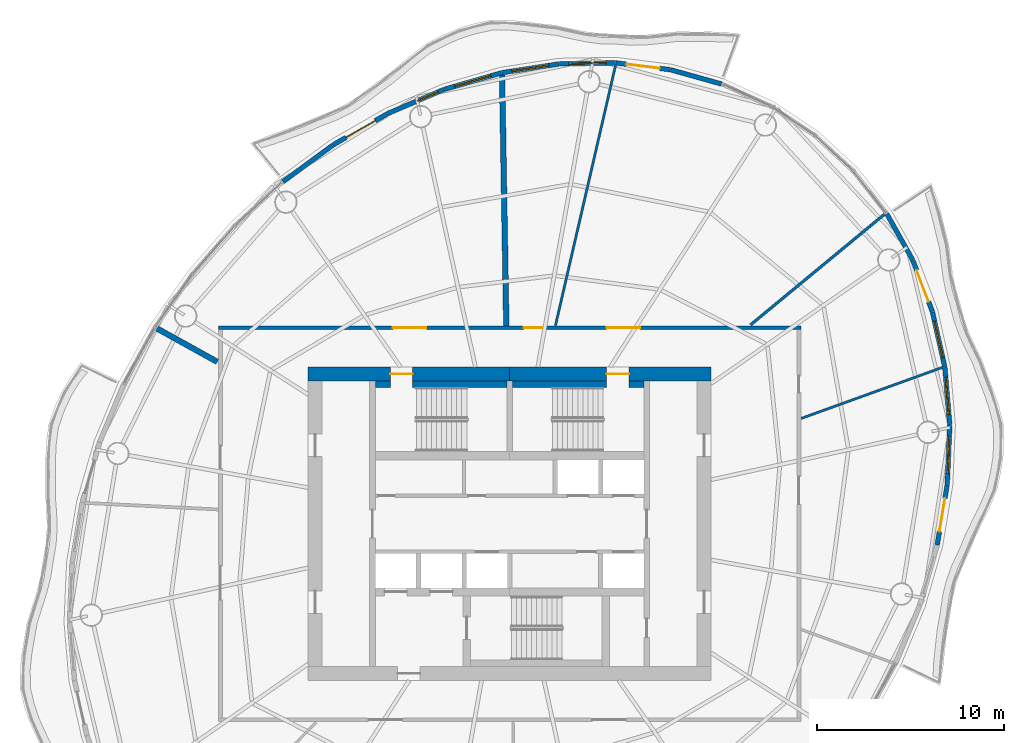
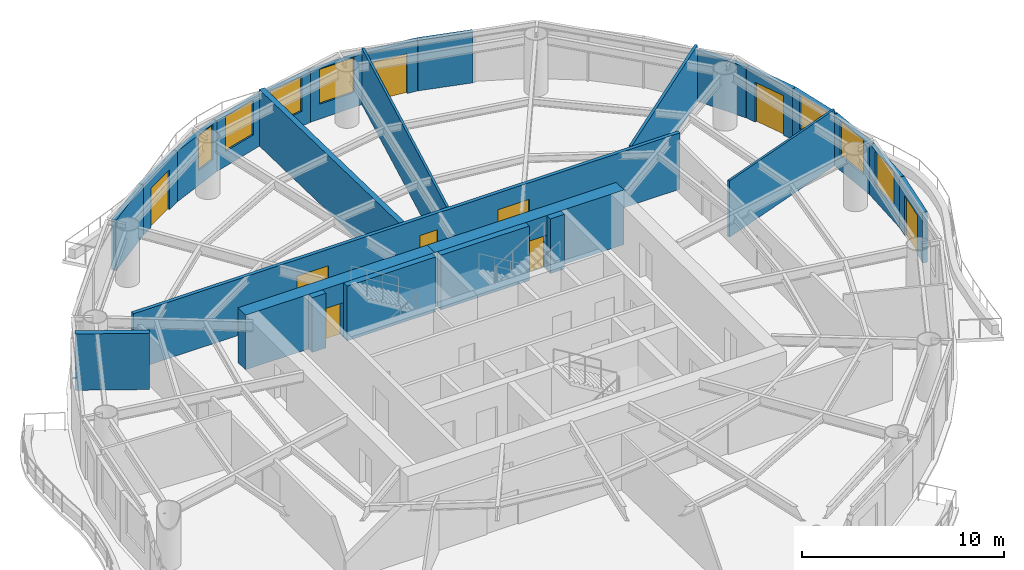
# One storey, part 10 of 14: 26 walls, 9 doors, 7 windows, 16 openings.
"""IFC4 building model written with IfcOpenShell, lengths in metres."""

import ifcopenshell
import ifcopenshell.guid

model = None  # the IFC model being written
_history = None  # IfcOwnerHistory: only IFC2X3 demands one
_inside = {}  # id of a spatial element -> (the spatial element, [elements in it])
_under = {}  # id of a project, library or spatial element -> (it, [spatial elements below it])
_declared = {}  # id of a project -> (the project, [libraries it declares])
_typed = {}  # id of a type object -> (the type object, [elements of that type])
_made_of = {}  # id of a material, layer set ... -> (it, [elements and type objects made of it])


def new_model(schema):
    """Start an empty IFC model of exactly this schema.

    Asked for "IFC4X3", IfcOpenShell would pick the latest addendum, in which some entities
    have other attributes; the version numbers below select the first issue.
    IFC2X3 requires an IfcOwnerHistory on every rooted entity: one is made here for all.
    """
    global model, _history
    if schema == "IFC4X3":
        model = ifcopenshell.file(schema_version=(4, 3, 0, 0))
    else:
        model = ifcopenshell.file(schema=schema)
    _inside.clear()
    _under.clear()
    _declared.clear()
    _typed.clear()
    _made_of.clear()
    _history = None
    if model.schema == "IFC2X3":
        org = make("IfcOrganization", Name="unknown")
        user = make(
            "IfcPersonAndOrganization",
            ThePerson=make("IfcPerson", FamilyName="unknown"),
            TheOrganization=org,
        )
        app = make(
            "IfcApplication",
            ApplicationDeveloper=org,
            Version="unknown",
            ApplicationFullName="unknown",
            ApplicationIdentifier="unknown",
        )
        _history = make(
            "IfcOwnerHistory",
            OwningUser=user,
            OwningApplication=app,
            ChangeAction="ADDED",
            CreationDate=0,
        )
    return model


def make(cls, **values):
    """One entity of the class cls with the attributes given. An attribute that is None is left unset."""
    return model.create_entity(
        cls, **{name: value for name, value in values.items() if value is not None}
    )


def rooted(cls, **values):
    """An entity with a GlobalId (a new one), such as an element, a storey or a relation."""
    return make(cls, GlobalId=ifcopenshell.guid.new(), OwnerHistory=_history, **values)


def si_unit(unit_type, name, prefix=None):
    """IfcSIUnit, for example si_unit("LENGTHUNIT", "METRE", prefix="MILLI")."""
    return make("IfcSIUnit", UnitType=unit_type, Prefix=prefix, Name=name)


def assignment(units):
    """IfcUnitAssignment: the units of a project."""
    return None if units is None else make("IfcUnitAssignment", Units=units)


def point(xyz):
    """IfcCartesianPoint."""
    return None if xyz is None else make("IfcCartesianPoint", Coordinates=xyz)


def direction(xyz):
    """IfcDirection."""
    return None if xyz is None else make("IfcDirection", DirectionRatios=xyz)


def frame(location, z_axis=None, x_axis=None):
    """IfcAxis2Placement3D, a coordinate frame: its origin and axes. An axis left out is left unset."""
    return make(
        "IfcAxis2Placement3D",
        Location=point(location),
        Axis=direction(z_axis),
        RefDirection=direction(x_axis),
    )


def frame_2d(location, x_axis=None):
    """IfcAxis2Placement2D, a coordinate frame in the plane: its origin and x axis."""
    return make(
        "IfcAxis2Placement2D", Location=point(location), RefDirection=direction(x_axis)
    )


def origin():
    """The frame at (0, 0, 0) with its axes left unset."""
    return frame((0.0, 0.0, 0.0))


def place(relative_to, where):
    """IfcLocalPlacement: puts the frame where relative to a parent placement (None: the world)."""
    return make(
        "IfcLocalPlacement", PlacementRelTo=relative_to, RelativePlacement=where
    )


def context(
    kind, dimensions, precision=None, world=None, true_north=None, identifier=None
):
    """IfcGeometricRepresentationContext, for example the 3D "Model" context."""
    return make(
        "IfcGeometricRepresentationContext",
        ContextIdentifier=identifier,
        ContextType=kind,
        CoordinateSpaceDimension=dimensions,
        Precision=precision,
        WorldCoordinateSystem=world,
        TrueNorth=true_north,
    )


def subcontext(parent, identifier, kind, view, scale=None):
    """IfcGeometricRepresentationSubContext, for example "Body" below "Model"."""
    return make(
        "IfcGeometricRepresentationSubContext",
        ContextIdentifier=identifier,
        ContextType=kind,
        ParentContext=parent,
        TargetScale=scale,
        TargetView=view,
    )


def project(units=None, contexts=None):
    """IfcProject with its units and contexts."""
    return rooted(
        "IfcProject",
        Name="project",
        RepresentationContexts=contexts,
        UnitsInContext=assignment(units),
    )


def spatial(cls, under=None, at=None, **own):
    """A site, building, storey or space (cls), placed at a placement, below another one or the project."""
    s = rooted(cls, ObjectPlacement=at, **own)
    if under is not None:
        _under.setdefault(under.id(), (under, []))[1].append(s)
    return s


def profile(cls, at=None, kind="AREA", **sizes):
    """A parametric profile (cls). Its sizes go by their IFC names, for example OverallWidth=200.0."""
    return make(cls, ProfileType=kind, Position=at, **sizes)


def rectangle(**sizes):
    """IfcRectangleProfileDef."""
    return profile("IfcRectangleProfileDef", **sizes)


def extrude(swept, where, along, depth):
    """IfcExtrudedAreaSolid: the profile swept, set in the frame where, extruded along a direction by depth."""
    return make(
        "IfcExtrudedAreaSolid",
        SweptArea=swept,
        Position=where,
        ExtrudedDirection=direction(along),
        Depth=depth,
    )


def shape(context_of_items, identifier, shape_type, items):
    """IfcShapeRepresentation: the items that make up one representation, for example the "Body"."""
    return make(
        "IfcShapeRepresentation",
        ContextOfItems=context_of_items,
        RepresentationIdentifier=identifier,
        RepresentationType=shape_type,
        Items=items,
    )


def material(Name=None, Category=None):
    """IfcMaterial."""
    return make("IfcMaterial", Name=Name, Category=Category)


def layer(
    of_material, thickness, ventilated=None, Name=None, Category=None, Priority=None
):
    """IfcMaterialLayer: one layer of a wall or slab, of a material (None: an air gap)."""
    return make(
        "IfcMaterialLayer",
        Material=of_material,
        LayerThickness=thickness,
        IsVentilated=ventilated,
        Name=Name,
        Category=Category,
        Priority=Priority,
    )


def layer_set(layers, Name=None):
    """IfcMaterialLayerSet."""
    return make("IfcMaterialLayerSet", MaterialLayers=layers, LayerSetName=Name)


def made_of(thing, what):
    """Note that an element or type object is made of a material, layer set ...; save() writes the relation."""
    if what is not None:
        _made_of.setdefault(what.id(), (what, []))[1].append(thing)
    return thing


def type_object(cls, material=None, **own):
    """A type object (cls), such as IfcWallType, which elements share."""
    return made_of(rooted(cls, **own), material)


def element(
    cls,
    number,
    at=None,
    inside=None,
    cuts=None,
    type_object=None,
    material=None,
    context=None,
    identifier="Body",
    shape_type=None,
    held_by="IfcProductDefinitionShape",
    body=None,
    shapes=None,
    **own,
):
    """One element of the class cls, such as IfcWall. Its Tag is "e" and its number.

    at: its placement. inside: the storey or other place that contains it. cuts: it is an
    opening in that element (IfcRelVoidsElement). A single representation is given by context,
    identifier, shape_type and body (its items); several are given by shapes. held_by: the class
    of the entity that holds the representations. save() writes the other relations.
    """
    e = rooted(cls, Tag="e%d" % number, ObjectPlacement=at, **own)
    if body is not None:
        shapes = [shape(context, identifier, shape_type, body)]
    if shapes is not None:
        e.Representation = make(held_by, Representations=shapes)
    if inside is not None:
        _inside.setdefault(inside.id(), (inside, []))[1].append(e)
    if cuts is not None:
        rooted(
            "IfcRelVoidsElement", RelatingBuildingElement=cuts, RelatedOpeningElement=e
        )
    if type_object is not None:
        _typed.setdefault(type_object.id(), (type_object, []))[1].append(e)
    return made_of(e, material)


def fill(opening, filler):
    """IfcRelFillsElement: the door or window that sits in an opening."""
    return rooted(
        "IfcRelFillsElement",
        RelatingOpeningElement=opening,
        RelatedBuildingElement=filler,
    )


def aggregate(whole, parts):
    """IfcRelAggregates: a whole, such as a stair, and the parts it consists of."""
    return rooted("IfcRelAggregates", RelatingObject=whole, RelatedObjects=parts)


def save(model, path):
    """Write the relations noted so far, then the file.

    IfcRelAggregates (storeys below a building ...), IfcRelContainedInSpatialStructure (elements
    in a storey), IfcRelDefinesByType, IfcRelAssociatesMaterial and IfcRelDeclares: one each for
    every whole, place, type object, material and project.
    """
    for whole, parts in _under.values():
        aggregate(whole, parts)
    for where, things in _inside.values():
        rooted(
            "IfcRelContainedInSpatialStructure",
            RelatedElements=things,
            RelatingStructure=where,
        )
    for kind, things in _typed.values():
        rooted("IfcRelDefinesByType", RelatedObjects=things, RelatingType=kind)
    for what, things in _made_of.values():
        rooted("IfcRelAssociatesMaterial", RelatedObjects=things, RelatingMaterial=what)
    for by, libraries in _declared.values():
        rooted("IfcRelDeclares", RelatingContext=by, RelatedDefinitions=libraries)
    model.write(path)


model = new_model("IFC4")

# Units and contexts
model_context = context("Model", 3, precision=1e-05, world=origin(), true_north=direction((0.0, 1.0)))
body_context = subcontext(model_context, "Body", "Model", "MODEL_VIEW")
ifc_project = project(units=[si_unit("LENGTHUNIT", "METRE"), si_unit("AREAUNIT", "SQUARE_METRE"), si_unit("VOLUMEUNIT", "CUBIC_METRE"), si_unit("PLANEANGLEUNIT", "RADIAN"), si_unit("MASSUNIT", "GRAM", prefix="KILO")], contexts=[model_context])

# Site, building, storey
site_placement = place(None, origin())
site = spatial("IfcSite", under=ifc_project, at=site_placement, CompositionType="ELEMENT")
building_placement = place(site_placement, origin())
building = spatial("IfcBuilding", under=site, at=building_placement, Name="Vermilion Reach Broadcast Tower", CompositionType="ELEMENT")
storey_placement = place(building_placement, frame((0.0, 0.0, 238.89990234375)))
storey = spatial("IfcBuildingStorey", under=building, at=storey_placement, Name="L59", CompositionType="ELEMENT", Elevation=238.89990234375)

# Wall, opening, door
ifc_material_1 = material(Name="Concrete C60", Category="concrete")
ifc_layer_1 = layer(ifc_material_1, 0.75)
ifc_layer_set_1 = layer_set([ifc_layer_1], Name="Core outer wall 750 mm Concrete C60")
wall_type_1 = type_object("IfcWallType", Name="Core outer wall 750 mm Concrete C60", PredefinedType="SHEAR", material=ifc_layer_set_1)
wall_1_placement = place(storey_placement, frame((4.800048828125, 8.02490234375, 0.0), z_axis=(0.0, 0.0, 1.0), x_axis=(-1.0, 0.0, 0.0)))
wall_1 = element("IfcWall", 1, at=wall_1_placement, inside=storey, type_object=wall_type_1, Name="L59 core wall onE", PredefinedType="SHEAR", context=body_context, shape_type="SweptSolid", body=[
    extrude(rectangle(XDim=10.800048828125, YDim=0.75, at=frame_2d((5.39990234375, 0.0))), origin(), (0.0, 0.0, 1.0), 3.300048828125),
])
opening_1_placement = place(wall_1_placement, frame((4.39990234375, 0.0, 0.0)))
opening_1 = element("IfcOpeningElement", 2, at=opening_1_placement, cuts=wall_1, Name="Opening D01", PredefinedType="OPENING", context=body_context, shape_type="SweptSolid", body=[
    extrude(rectangle(XDim=1.199951171875, YDim=2.10009765625, at=frame_2d((0.60009765625, 1.050048828125))), frame((0.0, 0.385009765625, 0.0), z_axis=(0.0, -1.0, 0.0), x_axis=(1.0, 0.0, 0.0)), (0.0, 0.0, 1.0), 0.77001953125),
])
ifc_material_2 = material(Name="Painted steel fire door", Category="steel")
door_type_1 = type_object("IfcDoorType", Name="Stair door 1200 x 2100", OperationType="DOUBLE_DOOR_SINGLE_SWING", PredefinedType="NOTDEFINED", material=ifc_material_2)
door_1_placement = place(opening_1_placement, origin())
door_1 = element("IfcDoor", 3, at=door_1_placement, inside=storey, type_object=door_type_1, Name="L59 stair door ST2", OperationType="DOUBLE_DOOR_SINGLE_SWING", OverallHeight=2.10009765625, OverallWidth=1.199951171875, PredefinedType="NOTDEFINED", context=body_context, shape_type="SweptSolid", body=[
    extrude(rectangle(XDim=1.199951171875, YDim=2.10009765625, at=frame_2d((0.60009765625, 1.050048828125))), frame((0.0, 0.02490234375, 0.0), z_axis=(0.0, -1.0, 0.0), x_axis=(1.0, 0.0, 0.0)), (0.0, 0.0, 1.0), 0.050048828125),
])
fill(opening_1, door_1)

wall_2_placement = place(storey_placement, frame((-6.0, 8.02490234375, 0.0), z_axis=(0.0, 0.0, 1.0), x_axis=(-1.0, 0.0, 0.0)))
wall_2 = element("IfcWall", 4, at=wall_2_placement, inside=storey, type_object=wall_type_1, Name="L59 core wall onW", PredefinedType="SHEAR", context=body_context, shape_type="SweptSolid", body=[
    extrude(rectangle(XDim=10.800048828125, YDim=0.75, at=frame_2d((5.39990234375, 0.0))), origin(), (0.0, 0.0, 1.0), 3.300048828125),
])
opening_2_placement = place(wall_2_placement, frame((5.199951171875, 0.0, 0.0)))
opening_2 = element("IfcOpeningElement", 5, at=opening_2_placement, cuts=wall_2, Name="Opening D01", PredefinedType="OPENING", context=body_context, shape_type="SweptSolid", body=[
    extrude(rectangle(XDim=1.199951171875, YDim=2.10009765625, at=frame_2d((0.60009765625, 1.050048828125))), frame((0.0, 0.385009765625, 0.0), z_axis=(0.0, -1.0, 0.0), x_axis=(1.0, 0.0, 0.0)), (0.0, 0.0, 1.0), 0.77001953125),
])
door_2_placement = place(opening_2_placement, origin())
door_2 = element("IfcDoor", 6, at=door_2_placement, inside=storey, type_object=door_type_1, Name="L59 stair door ST1", OperationType="DOUBLE_DOOR_SINGLE_SWING", OverallHeight=2.10009765625, OverallWidth=1.199951171875, PredefinedType="NOTDEFINED", context=body_context, shape_type="SweptSolid", body=[
    extrude(rectangle(XDim=1.199951171875, YDim=2.10009765625, at=frame_2d((0.60009765625, 1.050048828125))), frame((0.0, 0.02490234375, 0.0), z_axis=(0.0, -1.0, 0.0), x_axis=(1.0, 0.0, 0.0)), (0.0, 0.0, 1.0), 0.050048828125),
])
fill(opening_2, door_2)

# Walls
ifc_material_3 = material(Name="Concrete C60", Category="concrete")
ifc_layer_2 = layer(ifc_material_3, 0.35009765625)
ifc_layer_set_2 = layer_set([ifc_layer_2], Name="Core stair wall 350 mm Concrete C60")
wall_type_2 = type_object("IfcWallType", Name="Core stair wall 350 mm Concrete C60", PredefinedType="SHEAR", material=ifc_layer_set_2)
wall_3_placement = place(storey_placement, frame((-13.199951171875, 7.47509765625, 0.0), z_axis=(0.0, 0.0, 1.0), x_axis=(1.0, 0.0, 0.0)))
element("IfcWall", 7, at=wall_3_placement, inside=storey, type_object=wall_type_2, Name="L59 core wall l1a", PredefinedType="SHEAR", context=body_context, shape_type="SweptSolid", body=[
    extrude(rectangle(XDim=0.800048828125, YDim=0.35009765625, at=frame_2d((0.39990234375, 0.0))), origin(), (0.0, 0.0, 1.0), 3.300048828125),
])
for number, where, z_axis, x_axis, name in (
    (8, (-11.199951171875, 7.47509765625, 0.0), (0.0, 0.0, 1.0), (1.0, 0.0, 0.0), "L59 core wall l1b"),
    (9, (-5.85009765625, 7.47509765625, 0.0), (0.0, 0.0, 1.0), (1.0, 0.0, 0.0), "L59 core wall l2a"),
):
    element("IfcWall", number, at=place(storey_placement, frame(where, z_axis=z_axis, x_axis=x_axis)), inside=storey, type_object=wall_type_2, Name=name, PredefinedType="SHEAR", context=body_context, shape_type="SweptSolid", body=[
        extrude(rectangle(XDim=5.050048828125, YDim=0.35009765625, at=frame_2d((2.52490234375, 0.0))), origin(), (0.0, 0.0, 1.0), 3.300048828125),
    ])
wall_4_placement = place(storey_placement, frame((0.39990234375, 7.47509765625, 0.0), z_axis=(0.0, 0.0, 1.0), x_axis=(1.0, 0.0, 0.0)))
element("IfcWall", 10, at=wall_4_placement, inside=storey, type_object=wall_type_2, Name="L59 core wall l2b", PredefinedType="SHEAR", context=body_context, shape_type="SweptSolid", body=[
    extrude(rectangle(XDim=0.800048828125, YDim=0.35009765625, at=frame_2d((0.39990234375, 0.0))), origin(), (0.0, 0.0, 1.0), 3.300048828125),
])

# Wall, openings, doors
ifc_material_4 = material(Name="Fire-rated gypsum board partition")
ifc_layer_3 = layer(ifc_material_4, 0.199951171875)
ifc_layer_set_3 = layer_set([ifc_layer_3], Name="Corridor wall 200 fire-rated")
wall_type_3 = type_object("IfcWallType", Name="Corridor wall 200 fire-rated", PredefinedType="PARTITIONING", material=ifc_layer_set_3)
wall_5_placement = place(storey_placement, frame((-21.60009765625, 10.5, 0.0), z_axis=(0.0, 0.0, 1.0), x_axis=(1.0, 0.0, 0.0)))
wall_5 = element("IfcWall", 11, at=wall_5_placement, inside=storey, type_object=wall_type_3, Name="Corridor wall 59.N", PredefinedType="PARTITIONING", context=body_context, shape_type="SweptSolid", body=[
    extrude(rectangle(XDim=31.2001953125, YDim=0.199951171875, at=frame_2d((15.60009765625, 0.0))), origin(), (0.0, 0.0, 1.0), 3.400146484375),
])
opening_3_placement = place(wall_5_placement, frame((16.35986328125, 0.0, 0.0)))
opening_3 = element("IfcOpeningElement", 12, at=opening_3_placement, cuts=wall_5, Name="Opening D23", PredefinedType="OPENING", context=body_context, shape_type="SweptSolid", body=[
    extrude(rectangle(XDim=1.0, YDim=2.39990234375, at=frame_2d((0.5, 1.199951171875))), frame((0.0, 0.10986328125, 0.0), z_axis=(0.0, -1.0, 0.0), x_axis=(1.0, 0.0, 0.0)), (0.0, 0.0, 1.0), 0.219970703125),
])
opening_4_placement = place(wall_5_placement, frame((9.333984375, 0.0, 0.0)))
opening_4 = element("IfcOpeningElement", 13, at=opening_4_placement, cuts=wall_5, Name="Opening D27", PredefinedType="OPENING", context=body_context, shape_type="SweptSolid", body=[
    extrude(rectangle(XDim=1.800048828125, YDim=2.39990234375, at=frame_2d((0.89990234375, 1.199951171875))), frame((0.0, 0.10986328125, 0.0), z_axis=(0.0, -1.0, 0.0), x_axis=(1.0, 0.0, 0.0)), (0.0, 0.0, 1.0), 0.219970703125),
])
opening_5_placement = place(wall_5_placement, frame((20.794677734375, 0.0, 0.0)))
opening_5 = element("IfcOpeningElement", 14, at=opening_5_placement, cuts=wall_5, Name="Opening D27", PredefinedType="OPENING", context=body_context, shape_type="SweptSolid", body=[
    extrude(rectangle(XDim=1.800048828125, YDim=2.39990234375, at=frame_2d((0.89990234375, 1.199951171875))), frame((0.0, 0.10986328125, 0.0), z_axis=(0.0, -1.0, 0.0), x_axis=(1.0, 0.0, 0.0)), (0.0, 0.0, 1.0), 0.219970703125),
])
ifc_material_5 = material(Name="Acoustic timber door leaf", Category="wood")
door_type_2 = type_object("IfcDoorType", Name="Door pair 1800x2400", OperationType="NOTDEFINED", PredefinedType="DOOR", material=ifc_material_5)
door_3_placement = place(opening_4_placement, origin())
door_3 = element("IfcDoor", 15, at=door_3_placement, inside=storey, type_object=door_type_2, Name="Door 59.02", OperationType="DOUBLE_DOOR_SINGLE_SWING", OverallHeight=2.39990234375, OverallWidth=1.800048828125, PredefinedType="DOOR", context=body_context, shape_type="SweptSolid", body=[
    extrude(rectangle(XDim=1.800048828125, YDim=2.39990234375, at=frame_2d((0.89990234375, 1.199951171875))), frame((0.0, 0.02490234375, 0.0), z_axis=(0.0, -1.0, 0.0), x_axis=(1.0, 0.0, 0.0)), (0.0, 0.0, 1.0), 0.050048828125),
])
fill(opening_4, door_3)
door_4_placement = place(opening_5_placement, origin())
door_4 = element("IfcDoor", 16, at=door_4_placement, inside=storey, type_object=door_type_2, Name="Door 59.09", OperationType="DOUBLE_DOOR_SINGLE_SWING", OverallHeight=2.39990234375, OverallWidth=1.800048828125, PredefinedType="DOOR", context=body_context, shape_type="SweptSolid", body=[
    extrude(rectangle(XDim=1.800048828125, YDim=2.39990234375, at=frame_2d((0.89990234375, 1.199951171875))), frame((0.0, 0.02490234375, 0.0), z_axis=(0.0, -1.0, 0.0), x_axis=(1.0, 0.0, 0.0)), (0.0, 0.0, 1.0), 0.050048828125),
])
fill(opening_5, door_4)
ifc_material_6 = material(Name="Veneered timber door leaf", Category="wood")
door_type_3 = type_object("IfcDoorType", Name="Door single 1000x2400", OperationType="NOTDEFINED", PredefinedType="DOOR", material=ifc_material_6)
door_5_placement = place(opening_3_placement, origin())
door_5 = element("IfcDoor", 17, at=door_5_placement, inside=storey, type_object=door_type_3, Name="Door 59.01", OperationType="SINGLE_SWING_RIGHT", OverallHeight=2.39990234375, OverallWidth=1.0, PredefinedType="DOOR", context=body_context, shape_type="SweptSolid", body=[
    extrude(rectangle(XDim=1.0, YDim=2.39990234375, at=frame_2d((0.5, 1.199951171875))), frame((0.0, 0.02490234375, 0.0), z_axis=(0.0, -1.0, 0.0), x_axis=(1.0, 0.0, 0.0)), (0.0, 0.0, 1.0), 0.050048828125),
])
fill(opening_3, door_5)

# Walls
ifc_material_7 = material(Name="Fire-rated plasterboard on steel stud", Category="steel")
ifc_layer_4 = layer(ifc_material_7, 0.125)
ifc_layer_set_4 = layer_set([ifc_layer_4], Name="Partition 125 fire-rated stud")
wall_type_4 = type_object("IfcWallType", Name="Partition 125 fire-rated stud", PredefinedType="PARTITIONING", material=ifc_layer_set_4)
wall_6_placement = place(storey_placement, frame((-0.32373046875, 24.5751953125, 0.0), z_axis=(0.0, 0.0, 1.0), x_axis=(-0.225044916304, -0.974348390282, 0.0)))
element("IfcWall", 18, at=wall_6_placement, inside=storey, type_object=wall_type_4, Name="Partition 59.01", PredefinedType="PARTITIONING", context=body_context, shape_type="SweptSolid", body=[
    extrude(rectangle(XDim=14.328857421875, YDim=0.125, at=frame_2d((7.16455078125, 0.0))), origin(), (0.0, 0.0, 1.0), 3.400146484375),
])
wall_7_placement = place(storey_placement, frame((17.1962890625, 8.3818359375, 0.0), z_axis=(0.0, 0.0, 1.0), x_axis=(-0.94047829394, -0.339853760649, 0.0)))
element("IfcWall", 19, at=wall_7_placement, inside=storey, type_object=wall_type_4, Name="Partition 59.08", PredefinedType="PARTITIONING", context=body_context, shape_type="SweptSolid", body=[
    extrude(rectangle(XDim=8.054443359375, YDim=0.125, at=frame_2d((4.02734375, 0.0))), origin(), (0.0, 0.0, 1.0), 3.400146484375),
])
ifc_material_8 = material(Name="Lightweight concrete block, plastered", Category="concrete")
ifc_layer_5 = layer(ifc_material_8, 0.14990234375)
ifc_layer_set_5 = layer_set([ifc_layer_5], Name="Partition 150 lightweight block")
wall_type_5 = type_object("IfcWallType", Name="Partition 150 lightweight block", PredefinedType="PARTITIONING", material=ifc_layer_set_5)
wall_8_placement = place(storey_placement, frame((14.082275390625, 16.58349609375, 0.0), z_axis=(0.0, 0.0, 1.0), x_axis=(-0.771079906802, -0.636738390021, 0.0)))
element("IfcWall", 20, at=wall_8_placement, inside=storey, type_object=wall_type_5, Name="Partition 59.09", PredefinedType="PARTITIONING", context=body_context, shape_type="SweptSolid", body=[
    extrude(rectangle(XDim=9.306396484375, YDim=0.14990234375, at=frame_2d((4.6533203125, 0.0))), origin(), (0.0, 0.0, 1.0), 3.400146484375),
])
ifc_material_9 = material(Name="Double-leaf plasterboard on isolated steel stud", Category="steel")
ifc_layer_6 = layer(ifc_material_9, 0.300048828125)
ifc_layer_set_6 = layer_set([ifc_layer_6], Name="Partition 300 acoustic double leaf")
wall_type_6 = type_object("IfcWallType", Name="Partition 300 acoustic double leaf", PredefinedType="PARTITIONING", material=ifc_layer_set_6)
wall_9_placement = place(storey_placement, frame((-6.40869140625, 24.046875, 0.0), z_axis=(0.0, 0.0, 1.0), x_axis=(0.016994712399, -0.999855579447, 0.0)))
element("IfcWall", 21, at=wall_9_placement, inside=storey, type_object=wall_type_6, Name="Partition 59.02", PredefinedType="PARTITIONING", context=body_context, shape_type="SweptSolid", body=[
    extrude(rectangle(XDim=13.4462890625, YDim=0.300048828125, at=frame_2d((6.72314453125, 0.0))), origin(), (0.0, 0.0, 1.0), 3.400146484375),
])
wall_10_placement = place(storey_placement, frame((-24.89453125, 10.46240234375, 0.0), z_axis=(0.0, 0.0, 1.0), x_axis=(0.874850568948, -0.484392900455, 0.0)))
element("IfcWall", 22, at=wall_10_placement, inside=storey, type_object=wall_type_6, Name="Partition 59.03", PredefinedType="PARTITIONING", context=body_context, shape_type="SweptSolid", body=[
    extrude(rectangle(XDim=3.682861328125, YDim=0.300048828125, at=frame_2d((1.84130859375, 0.0))), origin(), (0.0, 0.0, 1.0), 3.400146484375),
])
ifc_material_10 = material(Name="Terracotta rainscreen cladding", Category="masonry")
ifc_layer_7 = layer(ifc_material_10, 0.25)
ifc_layer_set_7 = layer_set([ifc_layer_7], Name="Terracotta rainscreen wall 250")
wall_type_7 = type_object("IfcWallType", Name="Terracotta rainscreen wall 250", PredefinedType="SOLIDWALL", material=ifc_layer_set_7)
wall_11_placement = place(storey_placement, frame((5.353515625, 23.56689453125, 0.0), z_axis=(0.0, 0.0, 1.0), x_axis=(-0.962900295721, 0.269857407718, 0.0)))
element("IfcWall", 23, at=wall_11_placement, inside=storey, type_object=wall_type_7, Name="External wall L59 02", PredefinedType="SOLIDWALL", context=body_context, shape_type="SweptSolid", body=[
    extrude(rectangle(XDim=2.826171875, YDim=0.25, at=frame_2d((1.4130859375, 0.0))), origin(), (0.0, 0.0, 1.0), 3.050048828125),
])

# Wall, opening, door
wall_12_placement = place(storey_placement, frame((2.60595703125, 24.3349609375, 0.0), z_axis=(0.0, 0.0, 1.0), x_axis=(-0.992289397798, 0.123942531107, 0.0)))
wall_12 = element("IfcWall", 24, at=wall_12_placement, inside=storey, type_object=wall_type_7, Name="External wall L59 03", PredefinedType="SOLIDWALL", context=body_context, shape_type="SweptSolid", body=[
    extrude(rectangle(XDim=2.93310546875, YDim=0.25, at=frame_2d((1.466552734375, 0.0))), origin(), (0.0, 0.0, 1.0), 3.050048828125),
])
opening_6_placement = place(wall_12_placement, frame((0.56591796875, 0.0, 0.0)))
opening_6 = element("IfcOpeningElement", 25, at=opening_6_placement, cuts=wall_12, Name="Opening D70", PredefinedType="OPENING", context=body_context, shape_type="SweptSolid", body=[
    extrude(rectangle(XDim=1.800048828125, YDim=2.39990234375, at=frame_2d((0.89990234375, 1.199951171875))), frame((0.0, 0.135009765625, 0.0), z_axis=(0.0, -1.0, 0.0), x_axis=(1.0, 0.0, 0.0)), (0.0, 0.0, 1.0), 0.27001953125),
])
ifc_material_11 = material(Name="Low-e laminated clear glass in aluminium frame", Category="aluminium")
door_type_4 = type_object("IfcDoorType", Name="Balcony sliding door 1800 x 2400", OperationType="DOUBLE_DOOR_SLIDING", PredefinedType="DOOR", material=ifc_material_11)
door_6_placement = place(opening_6_placement, origin())
door_6 = element("IfcDoor", 26, at=door_6_placement, inside=storey, type_object=door_type_4, Name="Balcony door L59 run 01", OperationType="DOUBLE_DOOR_SLIDING", OverallHeight=2.39990234375, OverallWidth=1.800048828125, PredefinedType="DOOR", context=body_context, shape_type="SweptSolid", body=[
    extrude(rectangle(XDim=1.800048828125, YDim=2.39990234375, at=frame_2d((0.89990234375, 1.199951171875))), frame((0.0, 0.02490234375, 0.0), z_axis=(0.0, -1.0, 0.0), x_axis=(1.0, 0.0, 0.0)), (0.0, 0.0, 1.0), 0.050048828125),
])
fill(opening_6, door_6)

# Wall, opening, window
wall_13_placement = place(storey_placement, frame((-0.330078125, 24.69970703125, 0.0), z_axis=(0.0, 0.0, 1.0), x_axis=(-0.999837951795, -0.018001948524, 0.0)))
wall_13 = element("IfcWall", 27, at=wall_13_placement, inside=storey, type_object=wall_type_7, Name="External wall L59 04", PredefinedType="SOLIDWALL", context=body_context, shape_type="SweptSolid", body=[
    extrude(rectangle(XDim=3.0107421875, YDim=0.25, at=frame_2d((1.50537109375, 0.0))), origin(), (0.0, 0.0, 1.0), 3.050048828125),
])
opening_7_placement = place(wall_13_placement, frame((0.50537109375, 0.0, 0.89990234375)))
opening_7 = element("IfcOpeningElement", 28, at=opening_7_placement, cuts=wall_13, Name="Opening W03", PredefinedType="OPENING", context=body_context, shape_type="SweptSolid", body=[
    extrude(rectangle(XDim=2.0, YDim=2.10009765625, at=frame_2d((1.0, 1.050048828125))), frame((0.0, 0.135009765625, 0.0), z_axis=(0.0, -1.0, 0.0), x_axis=(1.0, 0.0, 0.0)), (0.0, 0.0, 1.0), 0.27001953125),
])
ifc_material_12 = material(Name="Low-e laminated clear glass in aluminium frame", Category="aluminium")
window_type_1 = type_object("IfcWindowType", Name="Punched window 2000 x 2100 sill 900", PartitioningType="SINGLE_PANEL", PredefinedType="WINDOW", material=ifc_material_12)
window_1_placement = place(opening_7_placement, origin())
window_1 = element("IfcWindow", 29, at=window_1_placement, inside=storey, type_object=window_type_1, Name="Window L59 04", OverallHeight=2.10009765625, OverallWidth=2.0, PartitioningType="SINGLE_PANEL", PredefinedType="WINDOW", context=body_context, shape_type="SweptSolid", body=[
    extrude(rectangle(XDim=2.0, YDim=2.10009765625, at=frame_2d((1.0, 1.050048828125))), frame((0.0, 0.030029296875, 0.0), z_axis=(0.0, -1.0, 0.0), x_axis=(1.0, 0.0, 0.0)), (0.0, 0.0, 1.0), 0.06005859375),
])
fill(opening_7, window_1)

wall_14_placement = place(storey_placement, frame((-3.364990234375, 24.643310546875, 0.0), z_axis=(0.0, 0.0, 1.0), x_axis=(-0.988271174428, -0.152709154258, 0.0)))
wall_14 = element("IfcWall", 30, at=wall_14_placement, inside=storey, type_object=wall_type_7, Name="External wall L59 05", PredefinedType="SOLIDWALL", context=body_context, shape_type="SweptSolid", body=[
    extrude(rectangle(XDim=3.09521484375, YDim=0.25, at=frame_2d((1.547607421875, 0.0))), origin(), (0.0, 0.0, 1.0), 3.050048828125),
])
opening_8_placement = place(wall_14_placement, frame((0.547607421875, 0.0, 0.89990234375)))
opening_8 = element("IfcOpeningElement", 31, at=opening_8_placement, cuts=wall_14, Name="Opening W03", PredefinedType="OPENING", context=body_context, shape_type="SweptSolid", body=[
    extrude(rectangle(XDim=2.0, YDim=2.10009765625, at=frame_2d((1.0, 1.050048828125))), frame((0.0, 0.135009765625, 0.0), z_axis=(0.0, -1.0, 0.0), x_axis=(1.0, 0.0, 0.0)), (0.0, 0.0, 1.0), 0.27001953125),
])
window_2_placement = place(opening_8_placement, origin())
window_2 = element("IfcWindow", 32, at=window_2_placement, inside=storey, type_object=window_type_1, Name="Window L59 05", OverallHeight=2.10009765625, OverallWidth=2.0, PartitioningType="SINGLE_PANEL", PredefinedType="WINDOW", context=body_context, shape_type="SweptSolid", body=[
    extrude(rectangle(XDim=2.0, YDim=2.10009765625, at=frame_2d((1.0, 1.050048828125))), frame((0.0, 0.030029296875, 0.0), z_axis=(0.0, -1.0, 0.0), x_axis=(1.0, 0.0, 0.0)), (0.0, 0.0, 1.0), 0.06005859375),
])
fill(opening_8, window_2)

wall_15_placement = place(storey_placement, frame((-6.447265625, 24.16552734375, 0.0), z_axis=(0.0, 0.0, 1.0), x_axis=(-0.960582609331, -0.277994695364, 0.0)))
wall_15 = element("IfcWall", 33, at=wall_15_placement, inside=storey, type_object=wall_type_7, Name="External wall L59 06", PredefinedType="SOLIDWALL", context=body_context, shape_type="SweptSolid", body=[
    extrude(rectangle(XDim=3.179931640625, YDim=0.25, at=frame_2d((1.58984375, 0.0))), origin(), (0.0, 0.0, 1.0), 3.050048828125),
])
opening_9_placement = place(wall_15_placement, frame((0.590087890625, 0.0, 0.89990234375)))
opening_9 = element("IfcOpeningElement", 34, at=opening_9_placement, cuts=wall_15, Name="Opening W03", PredefinedType="OPENING", context=body_context, shape_type="SweptSolid", body=[
    extrude(rectangle(XDim=2.0, YDim=2.10009765625, at=frame_2d((1.0, 1.050048828125))), frame((0.0, 0.135009765625, 0.0), z_axis=(0.0, -1.0, 0.0), x_axis=(1.0, 0.0, 0.0)), (0.0, 0.0, 1.0), 0.27001953125),
])
window_3_placement = place(opening_9_placement, origin())
window_3 = element("IfcWindow", 35, at=window_3_placement, inside=storey, type_object=window_type_1, Name="Window L59 06", OverallHeight=2.10009765625, OverallWidth=2.0, PartitioningType="SINGLE_PANEL", PredefinedType="WINDOW", context=body_context, shape_type="SweptSolid", body=[
    extrude(rectangle(XDim=2.0, YDim=2.10009765625, at=frame_2d((1.0, 1.050048828125))), frame((0.0, 0.030029296875, 0.0), z_axis=(0.0, -1.0, 0.0), x_axis=(1.0, 0.0, 0.0)), (0.0, 0.0, 1.0), 0.06005859375),
])
fill(opening_9, window_3)

wall_16_placement = place(storey_placement, frame((-9.52392578125, 23.273681640625, 0.0), z_axis=(0.0, 0.0, 1.0), x_axis=(-0.919578355228, -0.39290666652, 0.0)))
wall_16 = element("IfcWall", 36, at=wall_16_placement, inside=storey, type_object=wall_type_7, Name="External wall L59 07", PredefinedType="SOLIDWALL", context=body_context, shape_type="SweptSolid", body=[
    extrude(rectangle(XDim=3.259765625, YDim=0.25, at=frame_2d((1.6298828125, 0.0))), origin(), (0.0, 0.0, 1.0), 3.050048828125),
])
opening_10_placement = place(wall_16_placement, frame((0.330078125, 0.0, 0.89990234375)))
opening_10 = element("IfcOpeningElement", 37, at=opening_10_placement, cuts=wall_16, Name="Opening W05", PredefinedType="OPENING", context=body_context, shape_type="SweptSolid", body=[
    extrude(rectangle(XDim=1.199951171875, YDim=2.10009765625, at=frame_2d((0.60009765625, 1.050048828125))), frame((0.0, 0.135009765625, 0.0), z_axis=(0.0, -1.0, 0.0), x_axis=(1.0, 0.0, 0.0)), (0.0, 0.0, 1.0), 0.27001953125),
])
ifc_material_13 = material(Name="Low-e laminated clear glass in aluminium frame", Category="aluminium")
window_type_2 = type_object("IfcWindowType", Name="Punched window 1200 x 2100 sill 900", PartitioningType="SINGLE_PANEL", PredefinedType="WINDOW", material=ifc_material_13)
window_4_placement = place(opening_10_placement, origin())
window_4 = element("IfcWindow", 38, at=window_4_placement, inside=storey, type_object=window_type_2, Name="Window L59 07", OverallHeight=2.10009765625, OverallWidth=1.199951171875, PartitioningType="SINGLE_PANEL", PredefinedType="WINDOW", context=body_context, shape_type="SweptSolid", body=[
    extrude(rectangle(XDim=1.199951171875, YDim=2.10009765625, at=frame_2d((0.60009765625, 1.050048828125))), frame((0.0, 0.030029296875, 0.0), z_axis=(0.0, -1.0, 0.0), x_axis=(1.0, 0.0, 0.0)), (0.0, 0.0, 1.0), 0.06005859375),
])
fill(opening_10, window_4)

# Wall, opening, door
wall_17_placement = place(storey_placement, frame((-12.541748046875, 21.982666015625, 0.0), z_axis=(0.0, 0.0, 1.0), x_axis=(-0.867470520989, -0.497488588024, 0.0)))
wall_17 = element("IfcWall", 39, at=wall_17_placement, inside=storey, type_object=wall_type_7, Name="External wall L59 08", PredefinedType="SOLIDWALL", context=body_context, shape_type="SweptSolid", body=[
    extrude(rectangle(XDim=3.329833984375, YDim=0.25, at=frame_2d((1.6650390625, 0.0))), origin(), (0.0, 0.0, 1.0), 3.050048828125),
])
opening_11_placement = place(wall_17_placement, frame((0.764892578125, 0.0, 0.0)))
opening_11 = element("IfcOpeningElement", 40, at=opening_11_placement, cuts=wall_17, Name="Opening D70", PredefinedType="OPENING", context=body_context, shape_type="SweptSolid", body=[
    extrude(rectangle(XDim=1.800048828125, YDim=2.39990234375, at=frame_2d((0.89990234375, 1.199951171875))), frame((0.0, 0.135009765625, 0.0), z_axis=(0.0, -1.0, 0.0), x_axis=(1.0, 0.0, 0.0)), (0.0, 0.0, 1.0), 0.27001953125),
])
door_7_placement = place(opening_11_placement, origin())
door_7 = element("IfcDoor", 41, at=door_7_placement, inside=storey, type_object=door_type_4, Name="Balcony door L59 run 02", OperationType="DOUBLE_DOOR_SLIDING", OverallHeight=2.39990234375, OverallWidth=1.800048828125, PredefinedType="DOOR", context=body_context, shape_type="SweptSolid", body=[
    extrude(rectangle(XDim=1.800048828125, YDim=2.39990234375, at=frame_2d((0.89990234375, 1.199951171875))), frame((0.0, 0.02490234375, 0.0), z_axis=(0.0, -1.0, 0.0), x_axis=(1.0, 0.0, 0.0)), (0.0, 0.0, 1.0), 0.050048828125),
])
fill(opening_11, door_7)

# Wall
wall_18_placement = place(storey_placement, frame((-15.448486328125, 20.314208984375, 0.0), z_axis=(0.0, 0.0, 1.0), x_axis=(-0.805991358559, -0.591927301219, 0.0)))
element("IfcWall", 42, at=wall_18_placement, inside=storey, type_object=wall_type_7, Name="External wall L59 09", PredefinedType="SOLIDWALL", context=body_context, shape_type="SweptSolid", body=[
    extrude(rectangle(XDim=3.341552734375, YDim=0.25, at=frame_2d((1.6708984375, 0.0))), origin(), (0.0, 0.0, 1.0), 3.050048828125),
])

# Wall, opening, door
wall_19_placement = place(storey_placement, frame((16.911376953125, -1.13525390625, 0.0), z_axis=(0.0, 0.0, 1.0), x_axis=(0.164313973675, 0.986408089005, 0.0)))
wall_19 = element("IfcWall", 43, at=wall_19_placement, inside=storey, type_object=wall_type_7, Name="External wall L59 40", PredefinedType="SOLIDWALL", context=body_context, shape_type="SweptSolid", body=[
    extrude(rectangle(XDim=3.259765625, YDim=0.25, at=frame_2d((1.6298828125, 0.0))), origin(), (0.0, 0.0, 1.0), 3.050048828125),
])
opening_12_placement = place(wall_19_placement, frame((0.72998046875, 0.0, 0.0)))
opening_12 = element("IfcOpeningElement", 44, at=opening_12_placement, cuts=wall_19, Name="Opening D70", PredefinedType="OPENING", context=body_context, shape_type="SweptSolid", body=[
    extrude(rectangle(XDim=1.800048828125, YDim=2.39990234375, at=frame_2d((0.89990234375, 1.199951171875))), frame((0.0, 0.135009765625, 0.0), z_axis=(0.0, -1.0, 0.0), x_axis=(1.0, 0.0, 0.0)), (0.0, 0.0, 1.0), 0.27001953125),
])
door_8_placement = place(opening_12_placement, origin())
door_8 = element("IfcDoor", 45, at=door_8_placement, inside=storey, type_object=door_type_4, Name="Balcony door L59 run 10", OperationType="DOUBLE_DOOR_SLIDING", OverallHeight=2.39990234375, OverallWidth=1.800048828125, PredefinedType="DOOR", context=body_context, shape_type="SweptSolid", body=[
    extrude(rectangle(XDim=1.800048828125, YDim=2.39990234375, at=frame_2d((0.89990234375, 1.199951171875))), frame((0.0, 0.02490234375, 0.0), z_axis=(0.0, -1.0, 0.0), x_axis=(1.0, 0.0, 0.0)), (0.0, 0.0, 1.0), 0.050048828125),
])
fill(opening_12, door_8)

# Wall, opening, window
wall_20_placement = place(storey_placement, frame((17.449462890625, 2.103271484375, 0.0), z_axis=(0.0, 0.0, 1.0), x_axis=(0.042837542995, 0.99908205114, 0.0)))
wall_20 = element("IfcWall", 46, at=wall_20_placement, inside=storey, type_object=wall_type_7, Name="External wall L59 41", PredefinedType="SOLIDWALL", context=body_context, shape_type="SweptSolid", body=[
    extrude(rectangle(XDim=3.18017578125, YDim=0.25, at=frame_2d((1.590087890625, 0.0))), origin(), (0.0, 0.0, 1.0), 3.050048828125),
])
opening_13_placement = place(wall_20_placement, frame((0.590087890625, 0.0, 0.89990234375)))
opening_13 = element("IfcOpeningElement", 47, at=opening_13_placement, cuts=wall_20, Name="Opening W03", PredefinedType="OPENING", context=body_context, shape_type="SweptSolid", body=[
    extrude(rectangle(XDim=2.0, YDim=2.10009765625, at=frame_2d((1.0, 1.050048828125))), frame((0.0, 0.135009765625, 0.0), z_axis=(0.0, -1.0, 0.0), x_axis=(1.0, 0.0, 0.0)), (0.0, 0.0, 1.0), 0.27001953125),
])
window_5_placement = place(opening_13_placement, origin())
window_5 = element("IfcWindow", 48, at=window_5_placement, inside=storey, type_object=window_type_1, Name="Window L59 41", OverallHeight=2.10009765625, OverallWidth=2.0, PartitioningType="SINGLE_PANEL", PredefinedType="WINDOW", context=body_context, shape_type="SweptSolid", body=[
    extrude(rectangle(XDim=2.0, YDim=2.10009765625, at=frame_2d((1.0, 1.050048828125))), frame((0.0, 0.030029296875, 0.0), z_axis=(0.0, -1.0, 0.0), x_axis=(1.0, 0.0, 0.0)), (0.0, 0.0, 1.0), 0.06005859375),
])
fill(opening_13, window_5)

wall_21_placement = place(storey_placement, frame((17.585205078125, 5.304443359375, 0.0), z_axis=(0.0, 0.0, 1.0), x_axis=(-0.08534968294, 0.996351058424, 0.0)))
wall_21 = element("IfcWall", 49, at=wall_21_placement, inside=storey, type_object=wall_type_7, Name="External wall L59 42", PredefinedType="SOLIDWALL", context=body_context, shape_type="SweptSolid", body=[
    extrude(rectangle(XDim=3.094970703125, YDim=0.25, at=frame_2d((1.54736328125, 0.0))), origin(), (0.0, 0.0, 1.0), 3.050048828125),
])
opening_14_placement = place(wall_21_placement, frame((0.547607421875, 0.0, 0.89990234375)))
opening_14 = element("IfcOpeningElement", 50, at=opening_14_placement, cuts=wall_21, Name="Opening W03", PredefinedType="OPENING", context=body_context, shape_type="SweptSolid", body=[
    extrude(rectangle(XDim=2.0, YDim=2.10009765625, at=frame_2d((1.0, 1.050048828125))), frame((0.0, 0.135009765625, 0.0), z_axis=(0.0, -1.0, 0.0), x_axis=(1.0, 0.0, 0.0)), (0.0, 0.0, 1.0), 0.27001953125),
])
window_6_placement = place(opening_14_placement, origin())
window_6 = element("IfcWindow", 51, at=window_6_placement, inside=storey, type_object=window_type_1, Name="Window L59 42", OverallHeight=2.10009765625, OverallWidth=2.0, PartitioningType="SINGLE_PANEL", PredefinedType="WINDOW", context=body_context, shape_type="SweptSolid", body=[
    extrude(rectangle(XDim=2.0, YDim=2.10009765625, at=frame_2d((1.0, 1.050048828125))), frame((0.0, 0.030029296875, 0.0), z_axis=(0.0, -1.0, 0.0), x_axis=(1.0, 0.0, 0.0)), (0.0, 0.0, 1.0), 0.06005859375),
])
fill(opening_14, window_6)

wall_22_placement = place(storey_placement, frame((17.317138671875, 8.412841796875, 0.0), z_axis=(0.0, 0.0, 1.0), x_axis=(-0.218861882791, 0.975755848694, 0.0)))
wall_22 = element("IfcWall", 52, at=wall_22_placement, inside=storey, type_object=wall_type_7, Name="External wall L59 43", PredefinedType="SOLIDWALL", context=body_context, shape_type="SweptSolid", body=[
    extrude(rectangle(XDim=3.0107421875, YDim=0.25, at=frame_2d((1.50537109375, 0.0))), origin(), (0.0, 0.0, 1.0), 3.050048828125),
])
opening_15_placement = place(wall_22_placement, frame((0.50537109375, 0.0, 0.89990234375)))
opening_15 = element("IfcOpeningElement", 53, at=opening_15_placement, cuts=wall_22, Name="Opening W03", PredefinedType="OPENING", context=body_context, shape_type="SweptSolid", body=[
    extrude(rectangle(XDim=2.0, YDim=2.10009765625, at=frame_2d((1.0, 1.050048828125))), frame((0.0, 0.135009765625, 0.0), z_axis=(0.0, -1.0, 0.0), x_axis=(1.0, 0.0, 0.0)), (0.0, 0.0, 1.0), 0.27001953125),
])
window_7_placement = place(opening_15_placement, origin())
window_7 = element("IfcWindow", 54, at=window_7_placement, inside=storey, type_object=window_type_1, Name="Window L59 43", OverallHeight=2.10009765625, OverallWidth=2.0, PartitioningType="SINGLE_PANEL", PredefinedType="WINDOW", context=body_context, shape_type="SweptSolid", body=[
    extrude(rectangle(XDim=2.0, YDim=2.10009765625, at=frame_2d((1.0, 1.050048828125))), frame((0.0, 0.030029296875, 0.0), z_axis=(0.0, -1.0, 0.0), x_axis=(1.0, 0.0, 0.0)), (0.0, 0.0, 1.0), 0.06005859375),
])
fill(opening_15, window_7)

# Wall, opening, door
wall_23_placement = place(storey_placement, frame((16.650634765625, 11.375244140625, 0.0), z_axis=(0.0, 0.0, 1.0), x_axis=(-0.35511592295, 0.934822272556, 0.0)))
wall_23 = element("IfcWall", 55, at=wall_23_placement, inside=storey, type_object=wall_type_7, Name="External wall L59 44", PredefinedType="SOLIDWALL", context=body_context, shape_type="SweptSolid", body=[
    extrude(rectangle(XDim=2.932861328125, YDim=0.25, at=frame_2d((1.46630859375, 0.0))), origin(), (0.0, 0.0, 1.0), 3.050048828125),
])
opening_16_placement = place(wall_23_placement, frame((0.56591796875, 0.0, 0.0)))
opening_16 = element("IfcOpeningElement", 56, at=opening_16_placement, cuts=wall_23, Name="Opening D70", PredefinedType="OPENING", context=body_context, shape_type="SweptSolid", body=[
    extrude(rectangle(XDim=1.800048828125, YDim=2.39990234375, at=frame_2d((0.89990234375, 1.199951171875))), frame((0.0, 0.135009765625, 0.0), z_axis=(0.0, -1.0, 0.0), x_axis=(1.0, 0.0, 0.0)), (0.0, 0.0, 1.0), 0.27001953125),
])
door_9_placement = place(opening_16_placement, origin())
door_9 = element("IfcDoor", 57, at=door_9_placement, inside=storey, type_object=door_type_4, Name="Balcony door L59 run 11", OperationType="DOUBLE_DOOR_SLIDING", OverallHeight=2.39990234375, OverallWidth=1.800048828125, PredefinedType="DOOR", context=body_context, shape_type="SweptSolid", body=[
    extrude(rectangle(XDim=1.800048828125, YDim=2.39990234375, at=frame_2d((0.89990234375, 1.199951171875))), frame((0.0, 0.02490234375, 0.0), z_axis=(0.0, -1.0, 0.0), x_axis=(1.0, 0.0, 0.0)), (0.0, 0.0, 1.0), 0.050048828125),
])
fill(opening_16, door_9)

# Wall
wall_24_placement = place(storey_placement, frame((15.597900390625, 14.14111328125, 0.0), z_axis=(0.0, 0.0, 1.0), x_axis=(-0.489949521211, 0.871750805371, 0.0)))
element("IfcWall", 58, at=wall_24_placement, inside=storey, type_object=wall_type_7, Name="External wall L59 45", PredefinedType="SOLIDWALL", context=body_context, shape_type="SweptSolid", body=[
    extrude(rectangle(XDim=2.826416015625, YDim=0.25, at=frame_2d((1.4130859375, 0.0))), origin(), (0.0, 0.0, 1.0), 3.050048828125),
])

save(model, "model.ifc")
